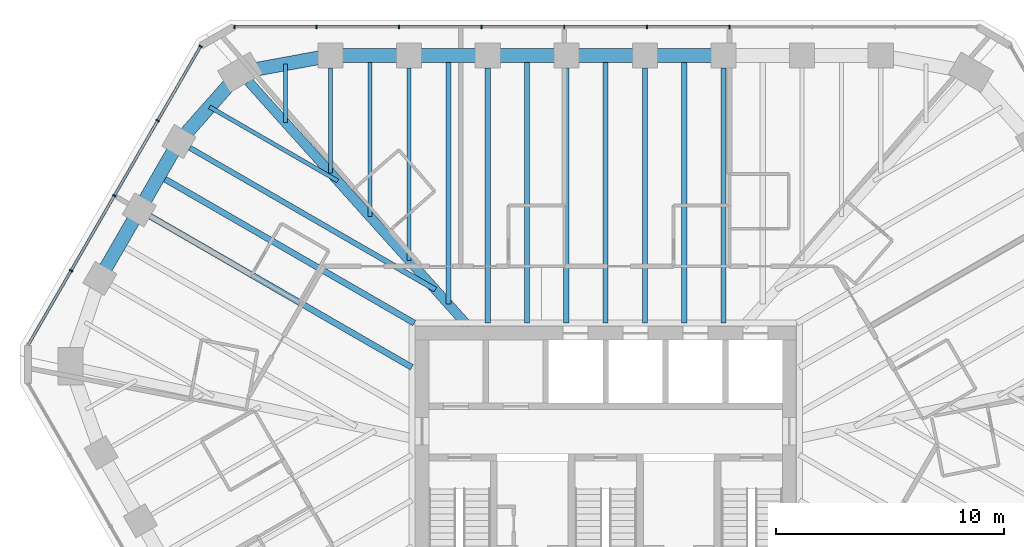
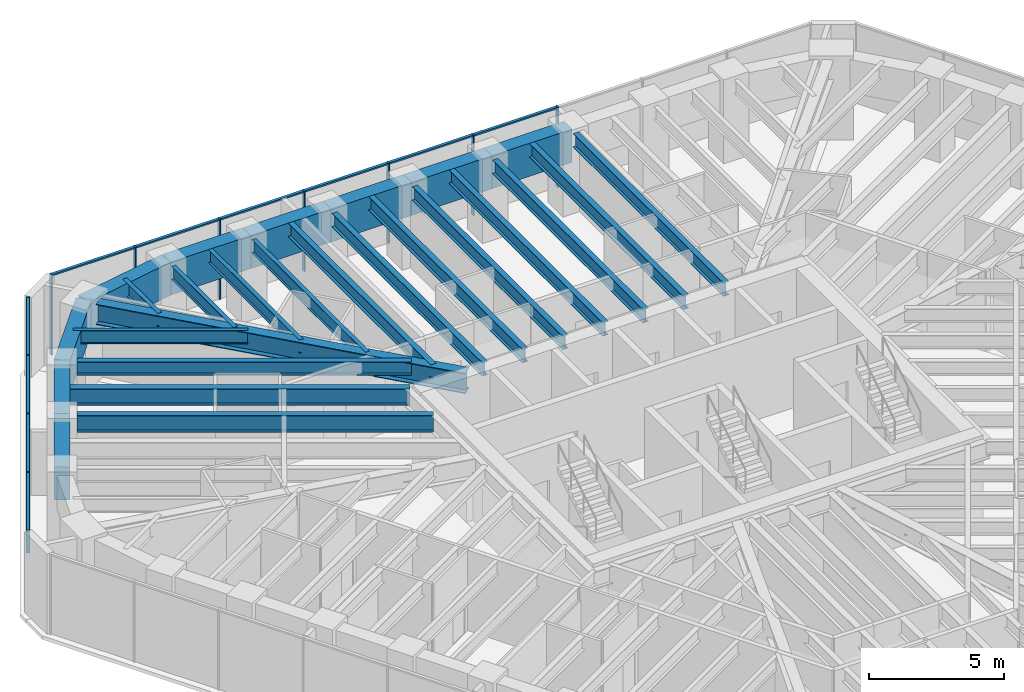
# One storey, part 6 of 14: 26 beams, 21 members, 2 elements without a shape of their own.
"""IFC4 building model written with IfcOpenShell, lengths in metres."""

from ifc_helpers import new_model, si_unit, direction, frame, origin, origin_2d, place, context, subcontext, project, spatial, rectangle, i_section, extrude, material, material_profile, profile_set, type_object, element, aggregate, save


model = new_model("IFC4")

# Units and contexts
model_context = context("Model", 3, precision=1e-05, world=origin(), true_north=direction((0.0, 1.0)))
body_context = subcontext(model_context, "Body", "Model", "MODEL_VIEW")
ifc_project = project(units=[si_unit("LENGTHUNIT", "METRE"), si_unit("AREAUNIT", "SQUARE_METRE"), si_unit("VOLUMEUNIT", "CUBIC_METRE"), si_unit("PLANEANGLEUNIT", "RADIAN"), si_unit("MASSUNIT", "GRAM", prefix="KILO")], contexts=[model_context])

# Site, building, storey
site_placement = place(None, origin())
site = spatial("IfcSite", under=ifc_project, at=site_placement, CompositionType="ELEMENT")
building_placement = place(site_placement, origin())
building = spatial("IfcBuilding", under=site, at=building_placement, Name="Sandreach Pilgrim Tower", CompositionType="ELEMENT")
storey_placement = place(building_placement, frame((0.0, 0.0, 287.39990234375)))
storey = spatial("IfcBuildingStorey", under=building, at=storey_placement, Name="L72", CompositionType="ELEMENT", Elevation=287.39990234375)

# Curtain wall, members
ifc_material_1 = material(Name="Aluminium framed curtain wall", Category="aluminium")
curtain_wall_type = type_object("IfcCurtainWallType", Name="Suite tower curtain wall", PredefinedType="NOTDEFINED", material=ifc_material_1)
curtain_wall_1_placement = place(storey_placement, origin())
curtain_wall_1 = element("IfcCurtainWall", 1, at=curtain_wall_1_placement, inside=storey, type_object=curtain_wall_type, Name="CW-4 L72 N", PredefinedType="NOTDEFINED")
ifc_material_2 = material(Name="Aluminium extrusion", Category="aluminium")
ifc_material_profile_1 = material_profile(ifc_material_2, rectangle(XDim=0.06005859375, YDim=0.159912109375, at=origin_2d()), Name="CW-4M 60X160")
ifc_profile_set_1 = profile_set([ifc_material_profile_1], Name="Aluminium extrusion")
member_type_1 = type_object("IfcMemberType", Name="CW-4 mullion", PredefinedType="MULLION", material=ifc_profile_set_1)
member_1_placement = place(storey_placement, frame((-16.268310546875, 19.826416015625, 0.0), z_axis=(0.0, 0.0, 1.0), x_axis=(1.0, 0.0, 0.0)))
member_1 = element("IfcMember", 2, at=member_1_placement, type_object=member_type_1, Name="CW-4 mullion 1", PredefinedType="MULLION", context=body_context, shape_type="SweptSolid", body=[
    extrude(rectangle(XDim=0.06005859375, YDim=0.159912109375, at=origin_2d()), origin(), (0.0, 0.0, 1.0), 3.64013671875),
])
member_2_placement = place(storey_placement, frame((-12.676513671875, 19.826416015625, 0.0), z_axis=(0.0, 0.0, 1.0), x_axis=(1.0, 0.0, 0.0)))
member_2 = element("IfcMember", 3, at=member_2_placement, type_object=member_type_1, Name="CW-4 mullion 2", PredefinedType="MULLION", context=body_context, shape_type="SweptSolid", body=[
    extrude(rectangle(XDim=0.06005859375, YDim=0.159912109375, at=origin_2d()), origin(), (0.0, 0.0, 1.0), 3.64013671875),
])
member_3_placement = place(storey_placement, frame((-9.0546875, 19.826416015625, 0.0), z_axis=(0.0, 0.0, 1.0), x_axis=(1.0, 0.0, 0.0)))
member_3 = element("IfcMember", 4, at=member_3_placement, type_object=member_type_1, Name="CW-4 mullion 3", PredefinedType="MULLION", context=body_context, shape_type="SweptSolid", body=[
    extrude(rectangle(XDim=0.06005859375, YDim=0.159912109375, at=origin_2d()), origin(), (0.0, 0.0, 1.0), 3.64013671875),
])
member_4_placement = place(storey_placement, frame((-5.432861328125, 19.826416015625, 0.0), z_axis=(0.0, 0.0, 1.0), x_axis=(1.0, 0.0, 0.0)))
member_4 = element("IfcMember", 5, at=member_4_placement, type_object=member_type_1, Name="CW-4 mullion 4", PredefinedType="MULLION", context=body_context, shape_type="SweptSolid", body=[
    extrude(rectangle(XDim=0.06005859375, YDim=0.159912109375, at=origin_2d()), origin(), (0.0, 0.0, 1.0), 3.64013671875),
])
member_5_placement = place(storey_placement, frame((-1.81103515625, 19.826416015625, 0.0), z_axis=(0.0, 0.0, 1.0), x_axis=(1.0, 0.0, 0.0)))
member_5 = element("IfcMember", 6, at=member_5_placement, type_object=member_type_1, Name="CW-4 mullion 5", PredefinedType="MULLION", context=body_context, shape_type="SweptSolid", body=[
    extrude(rectangle(XDim=0.06005859375, YDim=0.159912109375, at=origin_2d()), origin(), (0.0, 0.0, 1.0), 3.64013671875),
])
member_6_placement = place(storey_placement, frame((1.81103515625, 19.826416015625, 0.0), z_axis=(0.0, 0.0, 1.0), x_axis=(1.0, 0.0, 0.0)))
member_6 = element("IfcMember", 7, at=member_6_placement, type_object=member_type_1, Name="CW-4 mullion 6", PredefinedType="MULLION", context=body_context, shape_type="SweptSolid", body=[
    extrude(rectangle(XDim=0.06005859375, YDim=0.159912109375, at=origin_2d()), origin(), (0.0, 0.0, 1.0), 3.64013671875),
])
member_7_placement = place(storey_placement, frame((5.432861328125, 19.826416015625, 0.0), z_axis=(0.0, 0.0, 1.0), x_axis=(1.0, 0.0, 0.0)))
member_7 = element("IfcMember", 8, at=member_7_placement, type_object=member_type_1, Name="CW-4 mullion 7", PredefinedType="MULLION", context=body_context, shape_type="SweptSolid", body=[
    extrude(rectangle(XDim=0.06005859375, YDim=0.159912109375, at=origin_2d()), origin(), (0.0, 0.0, 1.0), 3.64013671875),
])

curtain_wall_2_placement = place(storey_placement, origin())
curtain_wall_2 = element("IfcCurtainWall", 9, at=curtain_wall_2_placement, inside=storey, type_object=curtain_wall_type, Name="CW-4 L72 NW", PredefinedType="NOTDEFINED")
member_8_placement = place(storey_placement, frame((-23.423583984375, 9.145263671875, 0.0), z_axis=(0.0, 0.0, 1.0), x_axis=(0.5, 0.866025403784, 0.0)))
member_8 = element("IfcMember", 10, at=member_8_placement, type_object=member_type_1, Name="CW-4 mullion 2", PredefinedType="MULLION", context=body_context, shape_type="SweptSolid", body=[
    extrude(rectangle(XDim=0.06005859375, YDim=0.159912109375, at=origin_2d()), origin(), (0.0, 0.0, 1.0), 3.64013671875),
])
member_9_placement = place(storey_placement, frame((-21.527587890625, 12.428955078125, 0.0), z_axis=(0.0, 0.0, 1.0), x_axis=(0.5, 0.866025403784, 0.0)))
member_9 = element("IfcMember", 11, at=member_9_placement, type_object=member_type_1, Name="CW-4 mullion 3", PredefinedType="MULLION", context=body_context, shape_type="SweptSolid", body=[
    extrude(rectangle(XDim=0.06005859375, YDim=0.159912109375, at=origin_2d()), origin(), (0.0, 0.0, 1.0), 3.64013671875),
])
member_10_placement = place(storey_placement, frame((-19.6318359375, 15.712646484375, 0.0), z_axis=(0.0, 0.0, 1.0), x_axis=(0.5, 0.866025403784, 0.0)))
member_10 = element("IfcMember", 12, at=member_10_placement, type_object=member_type_1, Name="CW-4 mullion 4", PredefinedType="MULLION", context=body_context, shape_type="SweptSolid", body=[
    extrude(rectangle(XDim=0.06005859375, YDim=0.159912109375, at=origin_2d()), origin(), (0.0, 0.0, 1.0), 3.64013671875),
])
member_11_placement = place(storey_placement, frame((-17.7509765625, 18.970458984375, 0.0), z_axis=(0.0, 0.0, 1.0), x_axis=(0.5, 0.866025403784, 0.0)))
member_11 = element("IfcMember", 13, at=member_11_placement, type_object=member_type_1, Name="CW-4 mullion 5", PredefinedType="MULLION", context=body_context, shape_type="SweptSolid", body=[
    extrude(rectangle(XDim=0.06005859375, YDim=0.159912109375, at=origin_2d()), origin(), (0.0, 0.0, 1.0), 3.64013671875),
])

# Member
ifc_material_3 = material(Name="Aluminium extrusion", Category="aluminium")
ifc_material_profile_2 = material_profile(ifc_material_3, rectangle(XDim=0.1201171875, YDim=0.070068359375, at=origin_2d()), Name="CW-4T 120X70")
ifc_profile_set_2 = profile_set([ifc_material_profile_2], Name="Aluminium extrusion")
member_type_2 = type_object("IfcMemberType", Name="CW-4 transom", PredefinedType="USERDEFINED", material=ifc_profile_set_2)
member_12_placement = place(storey_placement, frame((-16.23828125, 19.826416015625, 3.60498046875), z_axis=(1.0, 0.0, 0.0), x_axis=(0.0, 1.0, 0.0)))
member_12 = element("IfcMember", 14, at=member_12_placement, type_object=member_type_2, Name="CW-4 head transom 1", ObjectType="TRANSOM", PredefinedType="USERDEFINED", context=body_context, shape_type="SweptSolid", body=[
    extrude(rectangle(XDim=0.1201171875, YDim=0.070068359375, at=origin_2d()), origin(), (0.0, 0.0, 1.0), 3.53173828125),
])

member_13_placement = place(storey_placement, frame((-12.646484375, 19.826416015625, 3.60498046875), z_axis=(1.0, 0.0, 0.0), x_axis=(0.0, 1.0, 0.0)))
member_13 = element("IfcMember", 15, at=member_13_placement, type_object=member_type_2, Name="CW-4 head transom 2", ObjectType="TRANSOM", PredefinedType="USERDEFINED", context=body_context, shape_type="SweptSolid", body=[
    extrude(rectangle(XDim=0.1201171875, YDim=0.070068359375, at=origin_2d()), origin(), (0.0, 0.0, 1.0), 3.561767578125),
])

member_14_placement = place(storey_placement, frame((-9.024658203125, 19.826416015625, 3.60498046875), z_axis=(1.0, 0.0, 0.0), x_axis=(0.0, 1.0, 0.0)))
member_14 = element("IfcMember", 16, at=member_14_placement, type_object=member_type_2, Name="CW-4 head transom 3", ObjectType="TRANSOM", PredefinedType="USERDEFINED", context=body_context, shape_type="SweptSolid", body=[
    extrude(rectangle(XDim=0.1201171875, YDim=0.070068359375, at=origin_2d()), origin(), (0.0, 0.0, 1.0), 3.561767578125),
])

member_15_placement = place(storey_placement, frame((-5.40283203125, 19.826416015625, 3.60498046875), z_axis=(1.0, 0.0, 0.0), x_axis=(0.0, 1.0, 0.0)))
member_15 = element("IfcMember", 17, at=member_15_placement, type_object=member_type_2, Name="CW-4 head transom 4", ObjectType="TRANSOM", PredefinedType="USERDEFINED", context=body_context, shape_type="SweptSolid", body=[
    extrude(rectangle(XDim=0.1201171875, YDim=0.070068359375, at=origin_2d()), origin(), (0.0, 0.0, 1.0), 3.56201171875),
])

member_16_placement = place(storey_placement, frame((-1.781005859375, 19.826416015625, 3.60498046875), z_axis=(1.0, 0.0, 0.0), x_axis=(0.0, 1.0, 0.0)))
member_16 = element("IfcMember", 18, at=member_16_placement, type_object=member_type_2, Name="CW-4 head transom 5", ObjectType="TRANSOM", PredefinedType="USERDEFINED", context=body_context, shape_type="SweptSolid", body=[
    extrude(rectangle(XDim=0.1201171875, YDim=0.070068359375, at=origin_2d()), origin(), (0.0, 0.0, 1.0), 3.56201171875),
])

member_17_placement = place(storey_placement, frame((1.8408203125, 19.826416015625, 3.60498046875), z_axis=(1.0, 0.0, 0.0), x_axis=(0.0, 1.0, 0.0)))
member_17 = element("IfcMember", 19, at=member_17_placement, type_object=member_type_2, Name="CW-4 head transom 6", ObjectType="TRANSOM", PredefinedType="USERDEFINED", context=body_context, shape_type="SweptSolid", body=[
    extrude(rectangle(XDim=0.1201171875, YDim=0.070068359375, at=origin_2d()), origin(), (0.0, 0.0, 1.0), 3.56201171875),
])

aggregate(curtain_wall_1, [member_1, member_2, member_3, member_4, member_5, member_6, member_7, member_12, member_13, member_14, member_15, member_16, member_17])

member_18_placement = place(storey_placement, frame((-25.289306640625, 5.91357421875, 3.60498046875), z_axis=(0.499990780478, 0.866030726613, 0.0), x_axis=(-0.866030726613, 0.499990780478, 0.0)))
member_18 = element("IfcMember", 20, at=member_18_placement, type_object=member_type_2, Name="CW-4 head transom 1", ObjectType="TRANSOM", PredefinedType="USERDEFINED", context=body_context, shape_type="SweptSolid", body=[
    extrude(rectangle(XDim=0.1201171875, YDim=0.070068359375, at=origin_2d()), origin(), (0.0, 0.0, 1.0), 3.70166015625),
])

member_19_placement = place(storey_placement, frame((-23.408447265625, 9.17138671875, 3.60498046875), z_axis=(0.499981083104, 0.866036325184, 0.0), x_axis=(-0.866036325184, 0.499981083104, 0.0)))
member_19 = element("IfcMember", 21, at=member_19_placement, type_object=member_type_2, Name="CW-4 head transom 2", ObjectType="TRANSOM", PredefinedType="USERDEFINED", context=body_context, shape_type="SweptSolid", body=[
    extrude(rectangle(XDim=0.1201171875, YDim=0.070068359375, at=origin_2d()), origin(), (0.0, 0.0, 1.0), 3.731689453125),
])

member_20_placement = place(storey_placement, frame((-21.5126953125, 12.455078125, 3.60498046875), z_axis=(0.500030151002, 0.866007995396, 0.0), x_axis=(-0.866007995396, 0.500030151002, 0.0)))
member_20 = element("IfcMember", 22, at=member_20_placement, type_object=member_type_2, Name="CW-4 head transom 3", ObjectType="TRANSOM", PredefinedType="USERDEFINED", context=body_context, shape_type="SweptSolid", body=[
    extrude(rectangle(XDim=0.1201171875, YDim=0.070068359375, at=origin_2d()), origin(), (0.0, 0.0, 1.0), 3.731689453125),
])

member_21_placement = place(storey_placement, frame((-19.616943359375, 15.73876953125, 3.60498046875), z_axis=(0.499990780478, 0.866030726613, 0.0), x_axis=(-0.866030726613, 0.499990780478, 0.0)))
member_21 = element("IfcMember", 23, at=member_21_placement, type_object=member_type_2, Name="CW-4 head transom 4", ObjectType="TRANSOM", PredefinedType="USERDEFINED", context=body_context, shape_type="SweptSolid", body=[
    extrude(rectangle(XDim=0.1201171875, YDim=0.070068359375, at=origin_2d()), origin(), (0.0, 0.0, 1.0), 3.70166015625),
])

aggregate(curtain_wall_2, [member_8, member_9, member_10, member_11, member_18, member_19, member_20, member_21])

# Beams
ifc_material_4 = material(Name="Steel ASTM A992 Grade 50", Category="steel")
ifc_material_profile_3 = material_profile(ifc_material_4, i_section(OverallWidth=0.419189453125, OverallDepth=0.927001953125, WebThickness=0.019287109375, FlangeThickness=0.031982421875, at=origin_2d()), Name="W36X231")
ifc_profile_set_3 = profile_set([ifc_material_profile_3], Name="Steel ASTM A992 Grade 50")
beam_type_1 = type_object("IfcBeamType", Name="Corner girder W36X231", PredefinedType="BEAM", material=ifc_profile_set_3)
beam_1_placement = place(storey_placement, frame((-15.649169921875, 17.427978515625, 3.176513671875), z_axis=(0.668114851597, -0.74405815974, 0.0), x_axis=(0.74405815974, 0.668114851597, 0.0)))
element("IfcBeam", 24, at=beam_1_placement, inside=storey, type_object=beam_type_1, Name="BM L72 CG39", PredefinedType="BEAM", context=body_context, shape_type="SweptSolid", body=[
    extrude(i_section(OverallWidth=0.419189453125, OverallDepth=0.927001953125, WebThickness=0.019287109375, FlangeThickness=0.031982421875, at=origin_2d()), origin(), (0.0, 0.0, 1.0), 14.418212890625),
])
ifc_material_5 = material(Name="Steel ASTM A992 Grade 50", Category="steel")
ifc_material_profile_4 = material_profile(ifc_material_5, i_section(OverallWidth=0.1787109375, OverallDepth=0.60205078125, WebThickness=0.010986328125, FlangeThickness=0.014892578125, at=origin_2d()), Name="W24X62")
ifc_profile_set_4 = profile_set([ifc_material_profile_4], Name="Steel ASTM A992 Grade 50")
beam_type_2 = type_object("IfcBeamType", Name="Floor beam W24X62", PredefinedType="BEAM", material=ifc_profile_set_4)
beam_2_placement = place(storey_placement, frame((-12.0576171875, 18.016357421875, 3.339111328125), z_axis=(0.0, -1.0, 0.0), x_axis=(1.0, 0.0, 0.0)))
element("IfcBeam", 25, at=beam_2_placement, inside=storey, type_object=beam_type_2, Name="BM L72 F01", PredefinedType="BEAM", context=body_context, shape_type="SweptSolid", body=[
    extrude(i_section(OverallWidth=0.1787109375, OverallDepth=0.60205078125, WebThickness=0.010986328125, FlangeThickness=0.014892578125, at=origin_2d()), origin(), (0.0, 0.0, 1.0), 4.58837890625),
])
beam_3_placement = place(storey_placement, frame((-8.612548828125, 18.016357421875, 3.339111328125), z_axis=(0.0, -1.0, 0.0), x_axis=(1.0, 0.0, 0.0)))
element("IfcBeam", 26, at=beam_3_placement, inside=storey, type_object=beam_type_2, Name="BM L72 F02", PredefinedType="BEAM", context=body_context, shape_type="SweptSolid", body=[
    extrude(i_section(OverallWidth=0.1787109375, OverallDepth=0.60205078125, WebThickness=0.010986328125, FlangeThickness=0.014892578125, at=origin_2d()), origin(), (0.0, 0.0, 1.0), 8.4248046875),
])
beam_4_placement = place(storey_placement, frame((-10.3349609375, 18.56640625, 3.339111328125), z_axis=(0.0, -1.0, 0.0), x_axis=(1.0, 0.0, 0.0)))
element("IfcBeam", 27, at=beam_4_placement, inside=storey, type_object=beam_type_2, Name="BM L72 FM01", PredefinedType="BEAM", context=body_context, shape_type="SweptSolid", body=[
    extrude(i_section(OverallWidth=0.1787109375, OverallDepth=0.60205078125, WebThickness=0.010986328125, FlangeThickness=0.014892578125, at=origin_2d()), origin(), (0.0, 0.0, 1.0), 7.056640625),
])
beam_5_placement = place(storey_placement, frame((-17.360107421875, 16.31884765625, 3.339111328125), z_axis=(0.866023980233, -0.500002465655, 0.0), x_axis=(0.500002465655, 0.866023980233, 0.0)))
element("IfcBeam", 28, at=beam_5_placement, inside=storey, type_object=beam_type_2, Name="BM L72 FM38", PredefinedType="BEAM", context=body_context, shape_type="SweptSolid", body=[
    extrude(i_section(OverallWidth=0.1787109375, OverallDepth=0.60205078125, WebThickness=0.010986328125, FlangeThickness=0.014892578125, at=origin_2d()), origin(), (0.0, 0.0, 1.0), 6.49072265625),
])
beam_6_placement = place(storey_placement, frame((-14.037109375, 18.201904296875, 3.339111328125), z_axis=(0.0, -1.0, 0.0), x_axis=(1.0, 0.0, 0.0)))
element("IfcBeam", 29, at=beam_6_placement, inside=storey, type_object=beam_type_2, Name="BM L72 FM39", PredefinedType="BEAM", context=body_context, shape_type="SweptSolid", body=[
    extrude(i_section(OverallWidth=0.1787109375, OverallDepth=0.60205078125, WebThickness=0.010986328125, FlangeThickness=0.014892578125, at=origin_2d()), origin(), (0.0, 0.0, 1.0), 2.5693359375),
])
ifc_material_6 = material(Name="Steel ASTM A992 Grade 50", Category="steel")
ifc_material_profile_5 = material_profile(ifc_material_6, i_section(OverallWidth=0.23046875, OverallDepth=0.6171875, WebThickness=0.01318359375, FlangeThickness=0.022216796875, at=origin_2d()), Name="W24X94")
ifc_profile_set_5 = profile_set([ifc_material_profile_5], Name="Steel ASTM A992 Grade 50")
beam_type_3 = type_object("IfcBeamType", Name="Floor beam W24X94", PredefinedType="BEAM", material=ifc_profile_set_5)
for number, where, z_axis, x_axis, name in (
    (30, (-5.16748046875, 18.016357421875, 3.33154296875), (0.0, -1.0, 0.0), (1.0, 0.0, 0.0), "BM L72 F03"),
    (31, (-1.722412109375, 18.016357421875, 3.33154296875), (0.0, -1.0, 0.0), (1.0, 0.0, 0.0), "BM L72 F04"),
    (32, (1.722412109375, 18.016357421875, 3.33154296875), (0.0, -1.0, 0.0), (1.0, 0.0, 0.0), "BM L72 F05"),
    (33, (5.16748046875, 18.016357421875, 3.33154296875), (0.0, -1.0, 0.0), (1.0, 0.0, 0.0), "BM L72 F06"),
):
    element("IfcBeam", number, at=place(storey_placement, frame(where, z_axis=z_axis, x_axis=x_axis)), inside=storey, type_object=beam_type_3, Name=name, PredefinedType="BEAM", context=body_context, shape_type="SweptSolid", body=[
        extrude(i_section(OverallWidth=0.23046875, OverallDepth=0.6171875, WebThickness=0.01318359375, FlangeThickness=0.022216796875, at=origin_2d()), origin(), (0.0, 0.0, 1.0), 11.173095703125),
    ])
beam_7_placement = place(storey_placement, frame((-18.227294921875, 14.525390625, 3.33154296875), z_axis=(0.866020427415, -0.500008619226, 0.0), x_axis=(0.500008619226, 0.866020427415, 0.0)))
element("IfcBeam", 34, at=beam_7_placement, inside=storey, type_object=beam_type_3, Name="BM L72 F38", PredefinedType="BEAM", context=body_context, shape_type="SweptSolid", body=[
    extrude(i_section(OverallWidth=0.23046875, OverallDepth=0.6171875, WebThickness=0.01318359375, FlangeThickness=0.022216796875, at=origin_2d()), origin(), (0.0, 0.0, 1.0), 12.431396484375),
])
beam_8_placement = place(storey_placement, frame((-6.89013671875, 18.56640625, 3.33154296875), z_axis=(0.0, -1.0, 0.0), x_axis=(1.0, 0.0, 0.0)))
element("IfcBeam", 35, at=beam_8_placement, inside=storey, type_object=beam_type_3, Name="BM L72 FM02", PredefinedType="BEAM", context=body_context, shape_type="SweptSolid", body=[
    extrude(i_section(OverallWidth=0.23046875, OverallDepth=0.6171875, WebThickness=0.01318359375, FlangeThickness=0.022216796875, at=origin_2d()), origin(), (0.0, 0.0, 1.0), 10.893310546875),
])
for number, where, z_axis, x_axis, name in (
    (36, (-3.445068359375, 18.56640625, 3.33154296875), (0.0, -1.0, 0.0), (1.0, 0.0, 0.0), "BM L72 FM03"),
    (37, (0.0, 18.56640625, 3.33154296875), (0.0, -1.0, 0.0), (1.0, 0.0, 0.0), "BM L72 FM04"),
    (38, (3.445068359375, 18.56640625, 3.33154296875), (0.0, -1.0, 0.0), (1.0, 0.0, 0.0), "BM L72 FM05"),
):
    element("IfcBeam", number, at=place(storey_placement, frame(where, z_axis=z_axis, x_axis=x_axis)), inside=storey, type_object=beam_type_3, Name=name, PredefinedType="BEAM", context=body_context, shape_type="SweptSolid", body=[
        extrude(i_section(OverallWidth=0.23046875, OverallDepth=0.6171875, WebThickness=0.01318359375, FlangeThickness=0.022216796875, at=origin_2d()), origin(), (0.0, 0.0, 1.0), 11.72314453125),
    ])
ifc_material_7 = material(Name="Steel ASTM A992 Grade 50", Category="steel")
ifc_material_profile_6 = material_profile(ifc_material_7, i_section(OverallWidth=0.2666015625, OverallDepth=0.761962890625, WebThickness=0.014404296875, FlangeThickness=0.021484375, at=origin_2d()), Name="W30X116")
ifc_profile_set_6 = profile_set([ifc_material_profile_6], Name="Steel ASTM A992 Grade 50")
beam_type_4 = type_object("IfcBeamType", Name="Floor beam W30X116", PredefinedType="BEAM", material=ifc_profile_set_6)
beam_9_placement = place(storey_placement, frame((-19.960205078125, 11.52392578125, 3.259033203125), z_axis=(0.86602530353, -0.500000173646, 0.0), x_axis=(0.500000173646, 0.86602530353, 0.0)))
element("IfcBeam", 39, at=beam_9_placement, inside=storey, type_object=beam_type_4, Name="BM L72 F37", PredefinedType="BEAM", context=body_context, shape_type="SweptSolid", body=[
    extrude(i_section(OverallWidth=0.2666015625, OverallDepth=0.761962890625, WebThickness=0.014404296875, FlangeThickness=0.021484375, at=origin_2d()), origin(), (0.0, 0.0, 1.0), 13.24072265625),
])
beam_10_placement = place(storey_placement, frame((-19.570068359375, 13.299560546875, 3.259033203125), z_axis=(0.866025008595, -0.500000684488, 0.0), x_axis=(0.500000684488, 0.866025008595, 0.0)))
element("IfcBeam", 40, at=beam_10_placement, inside=storey, type_object=beam_type_4, Name="BM L72 FM37", PredefinedType="BEAM", context=body_context, shape_type="SweptSolid", body=[
    extrude(i_section(OverallWidth=0.2666015625, OverallDepth=0.761962890625, WebThickness=0.014404296875, FlangeThickness=0.021484375, at=origin_2d()), origin(), (0.0, 0.0, 1.0), 12.91259765625),
])
ifc_material_8 = material(Name="Concrete 10000 psi", Category="concrete")
ifc_material_profile_7 = material_profile(ifc_material_8, rectangle(XDim=0.60009765625, YDim=1.5, at=origin_2d()), Name="RC600X1500")
ifc_profile_set_7 = profile_set([ifc_material_profile_7], Name="Concrete 10000 psi")
beam_type_5 = type_object("IfcBeamType", Name="Spandrel beam RC600X1500", PredefinedType="SPANDREL", material=ifc_profile_set_7)
for number, where, z_axis, x_axis, name in (
    (41, (-12.0576171875, 18.56640625, 2.89013671875), (1.0, 0.0, 0.0), (0.0, 1.0, 0.0), "BM L72 SP01"),
    (42, (-8.612548828125, 18.56640625, 2.89013671875), (1.0, 0.0, 0.0), (0.0, 1.0, 0.0), "BM L72 SP02"),
    (43, (-5.16748046875, 18.56640625, 2.89013671875), (1.0, 0.0, 0.0), (0.0, 1.0, 0.0), "BM L72 SP03"),
):
    element("IfcBeam", number, at=place(storey_placement, frame(where, z_axis=z_axis, x_axis=x_axis)), inside=storey, type_object=beam_type_5, Name=name, PredefinedType="SPANDREL", context=body_context, shape_type="SweptSolid", body=[
        extrude(rectangle(XDim=0.60009765625, YDim=1.5, at=origin_2d()), origin(), (0.0, 0.0, 1.0), 3.445068359375),
    ])
beam_11_placement = place(storey_placement, frame((-1.722412109375, 18.56640625, 2.89013671875), z_axis=(1.0, 0.0, 0.0), x_axis=(0.0, 1.0, 0.0)))
element("IfcBeam", 44, at=beam_11_placement, inside=storey, type_object=beam_type_5, Name="BM L72 SP04", PredefinedType="SPANDREL", context=body_context, shape_type="SweptSolid", body=[
    extrude(rectangle(XDim=0.60009765625, YDim=1.5, at=origin_2d()), origin(), (0.0, 0.0, 1.0), 3.44482421875),
])
beam_12_placement = place(storey_placement, frame((1.722412109375, 18.56640625, 2.89013671875), z_axis=(1.0, 0.0, 0.0), x_axis=(0.0, 1.0, 0.0)))
element("IfcBeam", 45, at=beam_12_placement, inside=storey, type_object=beam_type_5, Name="BM L72 SP05", PredefinedType="SPANDREL", context=body_context, shape_type="SweptSolid", body=[
    extrude(rectangle(XDim=0.60009765625, YDim=1.5, at=origin_2d()), origin(), (0.0, 0.0, 1.0), 3.445068359375),
])
for number, where, z_axis, x_axis, name in (
    (46, (-22.169189453125, 8.7978515625, 2.89013671875), (0.499980616072, 0.866036594811, 0.0), (-0.866036594811, 0.499980616072, 0.0), "BM L72 SP36"),
    (47, (-20.4365234375, 11.799072265625, 2.89013671875), (0.500033451825, 0.866006089503, 0.0), (-0.866006089503, 0.500033451825, 0.0), "BM L72 SP37"),
):
    element("IfcBeam", number, at=place(storey_placement, frame(where, z_axis=z_axis, x_axis=x_axis)), inside=storey, type_object=beam_type_5, Name=name, PredefinedType="SPANDREL", context=body_context, shape_type="SweptSolid", body=[
        extrude(rectangle(XDim=0.60009765625, YDim=1.5, at=origin_2d()), origin(), (0.0, 0.0, 1.0), 3.465576171875),
    ])
beam_13_placement = place(storey_placement, frame((-18.70361328125, 14.80029296875, 2.89013671875), z_axis=(0.662650525414, 0.748928755736, 0.0), x_axis=(-0.748928755736, 0.662650525414, 0.0)))
element("IfcBeam", 48, at=beam_13_placement, inside=storey, type_object=beam_type_5, Name="BM L72 SP38", PredefinedType="SPANDREL", context=body_context, shape_type="SweptSolid", body=[
    extrude(rectangle(XDim=0.60009765625, YDim=1.5, at=origin_2d()), origin(), (0.0, 0.0, 1.0), 4.054931640625),
])
beam_14_placement = place(storey_placement, frame((-16.0166015625, 17.837158203125, 2.89013671875), z_axis=(0.983454894629, 0.181153167875, 0.0), x_axis=(-0.181153167875, 0.983454894629, 0.0)))
element("IfcBeam", 49, at=beam_14_placement, inside=storey, type_object=beam_type_5, Name="BM L72 SP39", PredefinedType="SPANDREL", context=body_context, shape_type="SweptSolid", body=[
    extrude(rectangle(XDim=0.60009765625, YDim=1.5, at=origin_2d()), origin(), (0.0, 0.0, 1.0), 4.025634765625),
])

save(model, "model.ifc")
